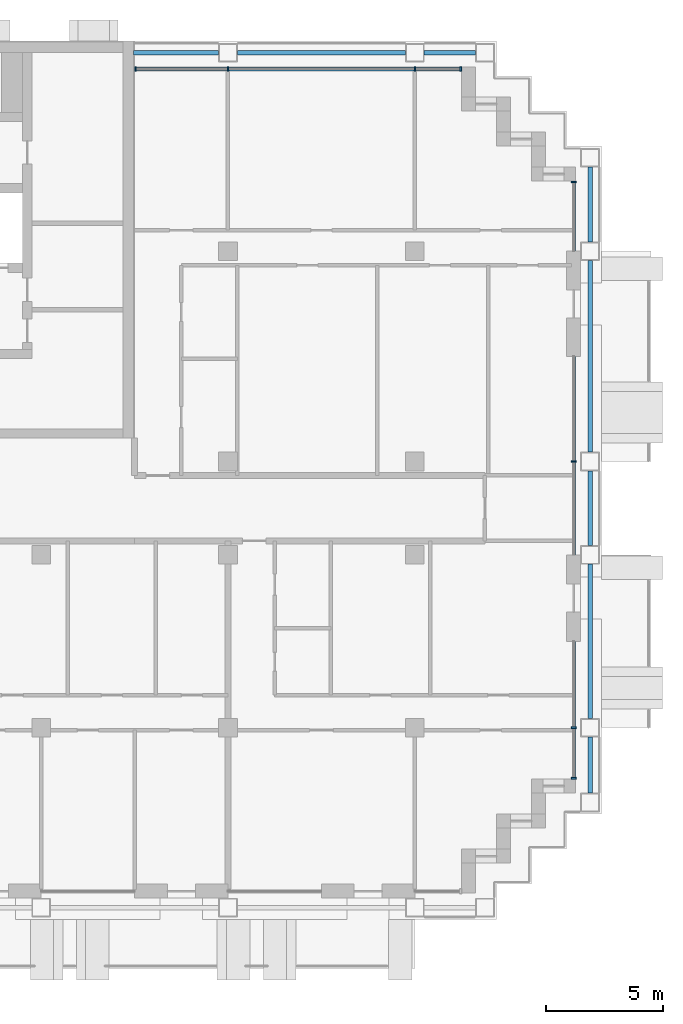
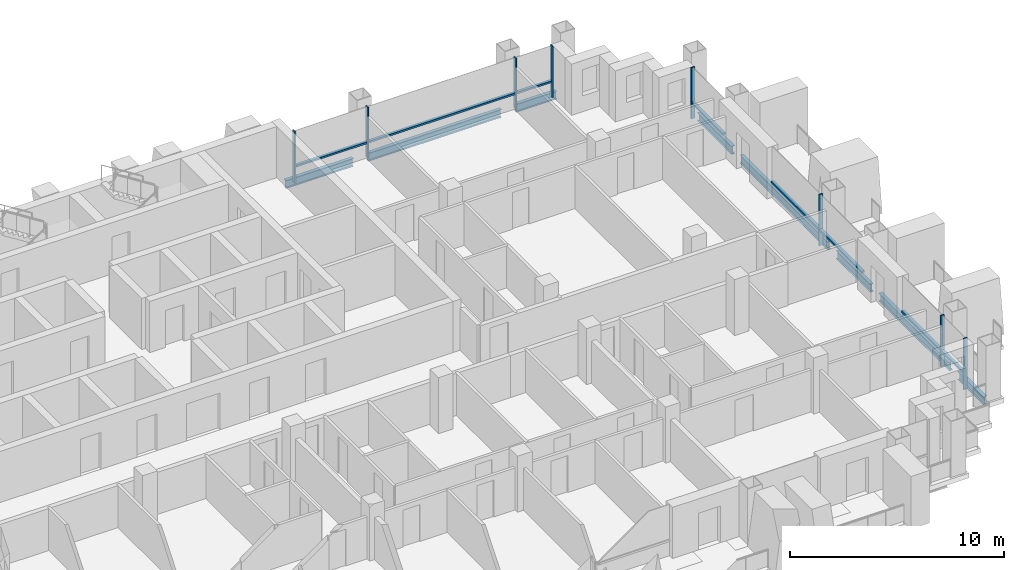
# One storey, part 5 of 18: 16 members, 8 beams, 4 elements without a shape of their own.
"""IFC4 building model written with IfcOpenShell, lengths in metres."""

import ifcopenshell
import ifcopenshell.guid

model = None  # the IFC model being written
_history = None  # IfcOwnerHistory: only IFC2X3 demands one
_inside = {}  # id of a spatial element -> (the spatial element, [elements in it])
_under = {}  # id of a project, library or spatial element -> (it, [spatial elements below it])
_declared = {}  # id of a project -> (the project, [libraries it declares])
_typed = {}  # id of a type object -> (the type object, [elements of that type])
_made_of = {}  # id of a material, layer set ... -> (it, [elements and type objects made of it])


def new_model(schema):
    """Start an empty IFC model of exactly this schema.

    Asked for "IFC4X3", IfcOpenShell would pick the latest addendum, in which some entities
    have other attributes; the version numbers below select the first issue.
    IFC2X3 requires an IfcOwnerHistory on every rooted entity: one is made here for all.
    """
    global model, _history
    if schema == "IFC4X3":
        model = ifcopenshell.file(schema_version=(4, 3, 0, 0))
    else:
        model = ifcopenshell.file(schema=schema)
    _inside.clear()
    _under.clear()
    _declared.clear()
    _typed.clear()
    _made_of.clear()
    _history = None
    if model.schema == "IFC2X3":
        org = make("IfcOrganization", Name="unknown")
        user = make(
            "IfcPersonAndOrganization",
            ThePerson=make("IfcPerson", FamilyName="unknown"),
            TheOrganization=org,
        )
        app = make(
            "IfcApplication",
            ApplicationDeveloper=org,
            Version="unknown",
            ApplicationFullName="unknown",
            ApplicationIdentifier="unknown",
        )
        _history = make(
            "IfcOwnerHistory",
            OwningUser=user,
            OwningApplication=app,
            ChangeAction="ADDED",
            CreationDate=0,
        )
    return model


def make(cls, **values):
    """One entity of the class cls with the attributes given. An attribute that is None is left unset."""
    return model.create_entity(
        cls, **{name: value for name, value in values.items() if value is not None}
    )


def rooted(cls, **values):
    """An entity with a GlobalId (a new one), such as an element, a storey or a relation."""
    return make(cls, GlobalId=ifcopenshell.guid.new(), OwnerHistory=_history, **values)


def si_unit(unit_type, name, prefix=None):
    """IfcSIUnit, for example si_unit("LENGTHUNIT", "METRE", prefix="MILLI")."""
    return make("IfcSIUnit", UnitType=unit_type, Prefix=prefix, Name=name)


def assignment(units):
    """IfcUnitAssignment: the units of a project."""
    return None if units is None else make("IfcUnitAssignment", Units=units)


def point(xyz):
    """IfcCartesianPoint."""
    return None if xyz is None else make("IfcCartesianPoint", Coordinates=xyz)


def direction(xyz):
    """IfcDirection."""
    return None if xyz is None else make("IfcDirection", DirectionRatios=xyz)


def frame(location, z_axis=None, x_axis=None):
    """IfcAxis2Placement3D, a coordinate frame: its origin and axes. An axis left out is left unset."""
    return make(
        "IfcAxis2Placement3D",
        Location=point(location),
        Axis=direction(z_axis),
        RefDirection=direction(x_axis),
    )


def frame_2d(location, x_axis=None):
    """IfcAxis2Placement2D, a coordinate frame in the plane: its origin and x axis."""
    return make(
        "IfcAxis2Placement2D", Location=point(location), RefDirection=direction(x_axis)
    )


def origin():
    """The frame at (0, 0, 0) with its axes left unset."""
    return frame((0.0, 0.0, 0.0))


def origin_2d():
    """The frame at (0, 0) in the plane with its x axis left unset."""
    return frame_2d((0.0, 0.0))


def place(relative_to, where):
    """IfcLocalPlacement: puts the frame where relative to a parent placement (None: the world)."""
    return make(
        "IfcLocalPlacement", PlacementRelTo=relative_to, RelativePlacement=where
    )


def context(
    kind, dimensions, precision=None, world=None, true_north=None, identifier=None
):
    """IfcGeometricRepresentationContext, for example the 3D "Model" context."""
    return make(
        "IfcGeometricRepresentationContext",
        ContextIdentifier=identifier,
        ContextType=kind,
        CoordinateSpaceDimension=dimensions,
        Precision=precision,
        WorldCoordinateSystem=world,
        TrueNorth=true_north,
    )


def subcontext(parent, identifier, kind, view, scale=None):
    """IfcGeometricRepresentationSubContext, for example "Body" below "Model"."""
    return make(
        "IfcGeometricRepresentationSubContext",
        ContextIdentifier=identifier,
        ContextType=kind,
        ParentContext=parent,
        TargetScale=scale,
        TargetView=view,
    )


def project(units=None, contexts=None):
    """IfcProject with its units and contexts."""
    return rooted(
        "IfcProject",
        Name="project",
        RepresentationContexts=contexts,
        UnitsInContext=assignment(units),
    )


def spatial(cls, under=None, at=None, **own):
    """A site, building, storey or space (cls), placed at a placement, below another one or the project."""
    s = rooted(cls, ObjectPlacement=at, **own)
    if under is not None:
        _under.setdefault(under.id(), (under, []))[1].append(s)
    return s


def profile(cls, at=None, kind="AREA", **sizes):
    """A parametric profile (cls). Its sizes go by their IFC names, for example OverallWidth=200.0."""
    return make(cls, ProfileType=kind, Position=at, **sizes)


def rectangle(**sizes):
    """IfcRectangleProfileDef."""
    return profile("IfcRectangleProfileDef", **sizes)


def i_section(**sizes):
    """IfcIShapeProfileDef."""
    return profile("IfcIShapeProfileDef", **sizes)


def extrude(swept, where, along, depth):
    """IfcExtrudedAreaSolid: the profile swept, set in the frame where, extruded along a direction by depth."""
    return make(
        "IfcExtrudedAreaSolid",
        SweptArea=swept,
        Position=where,
        ExtrudedDirection=direction(along),
        Depth=depth,
    )


def shape(context_of_items, identifier, shape_type, items):
    """IfcShapeRepresentation: the items that make up one representation, for example the "Body"."""
    return make(
        "IfcShapeRepresentation",
        ContextOfItems=context_of_items,
        RepresentationIdentifier=identifier,
        RepresentationType=shape_type,
        Items=items,
    )


def material(Name=None, Category=None):
    """IfcMaterial."""
    return make("IfcMaterial", Name=Name, Category=Category)


def material_profile(
    of_material, cross_section, Name=None, Category=None, Priority=None
):
    """IfcMaterialProfile: a cross section and its material."""
    return make(
        "IfcMaterialProfile",
        Name=Name,
        Material=of_material,
        Profile=cross_section,
        Priority=Priority,
        Category=Category,
    )


def profile_set(profiles, Name=None, composite=None):
    """IfcMaterialProfileSet."""
    return make(
        "IfcMaterialProfileSet",
        Name=Name,
        MaterialProfiles=profiles,
        CompositeProfile=composite,
    )


def made_of(thing, what):
    """Note that an element or type object is made of a material, layer set ...; save() writes the relation."""
    if what is not None:
        _made_of.setdefault(what.id(), (what, []))[1].append(thing)
    return thing


def type_object(cls, material=None, **own):
    """A type object (cls), such as IfcWallType, which elements share."""
    return made_of(rooted(cls, **own), material)


def element(
    cls,
    number,
    at=None,
    inside=None,
    cuts=None,
    type_object=None,
    material=None,
    context=None,
    identifier="Body",
    shape_type=None,
    held_by="IfcProductDefinitionShape",
    body=None,
    shapes=None,
    **own,
):
    """One element of the class cls, such as IfcWall. Its Tag is "e" and its number.

    at: its placement. inside: the storey or other place that contains it. cuts: it is an
    opening in that element (IfcRelVoidsElement). A single representation is given by context,
    identifier, shape_type and body (its items); several are given by shapes. held_by: the class
    of the entity that holds the representations. save() writes the other relations.
    """
    e = rooted(cls, Tag="e%d" % number, ObjectPlacement=at, **own)
    if body is not None:
        shapes = [shape(context, identifier, shape_type, body)]
    if shapes is not None:
        e.Representation = make(held_by, Representations=shapes)
    if inside is not None:
        _inside.setdefault(inside.id(), (inside, []))[1].append(e)
    if cuts is not None:
        rooted(
            "IfcRelVoidsElement", RelatingBuildingElement=cuts, RelatedOpeningElement=e
        )
    if type_object is not None:
        _typed.setdefault(type_object.id(), (type_object, []))[1].append(e)
    return made_of(e, material)


def aggregate(whole, parts):
    """IfcRelAggregates: a whole, such as a stair, and the parts it consists of."""
    return rooted("IfcRelAggregates", RelatingObject=whole, RelatedObjects=parts)


def save(model, path):
    """Write the relations noted so far, then the file.

    IfcRelAggregates (storeys below a building ...), IfcRelContainedInSpatialStructure (elements
    in a storey), IfcRelDefinesByType, IfcRelAssociatesMaterial and IfcRelDeclares: one each for
    every whole, place, type object, material and project.
    """
    for whole, parts in _under.values():
        aggregate(whole, parts)
    for where, things in _inside.values():
        rooted(
            "IfcRelContainedInSpatialStructure",
            RelatedElements=things,
            RelatingStructure=where,
        )
    for kind, things in _typed.values():
        rooted("IfcRelDefinesByType", RelatedObjects=things, RelatingType=kind)
    for what, things in _made_of.values():
        rooted("IfcRelAssociatesMaterial", RelatedObjects=things, RelatingMaterial=what)
    for by, libraries in _declared.values():
        rooted("IfcRelDeclares", RelatingContext=by, RelatedDefinitions=libraries)
    model.write(path)


model = new_model("IFC4")

# Units and contexts
model_context = context("Model", 3, precision=1e-05, world=origin(), true_north=direction((0.0, 1.0)))
body_context = subcontext(model_context, "Body", "Model", "MODEL_VIEW")
ifc_project = project(units=[si_unit("LENGTHUNIT", "METRE"), si_unit("AREAUNIT", "SQUARE_METRE"), si_unit("VOLUMEUNIT", "CUBIC_METRE"), si_unit("PLANEANGLEUNIT", "RADIAN"), si_unit("MASSUNIT", "GRAM", prefix="KILO")], contexts=[model_context])

# Site, building, storey
site_placement = place(None, origin())
site = spatial("IfcSite", under=ifc_project, at=site_placement, CompositionType="ELEMENT")
building_placement = place(site_placement, origin())
building = spatial("IfcBuilding", under=site, at=building_placement, Name="Vidyagriha Tower", CompositionType="ELEMENT")
storey_placement = place(building_placement, frame((0.0, 0.0, 126.199951171875)))
storey = spatial("IfcBuildingStorey", under=building, at=storey_placement, Name="L32", CompositionType="ELEMENT", Elevation=126.199951171875)

# Beams
ifc_material_1 = material(Name="Steel ASTM A992 Grade 50", Category="steel")
ifc_material_profile_1 = material_profile(ifc_material_1, i_section(OverallWidth=0.19189453125, OverallDepth=0.46240234375, WebThickness=0.010498046875, FlangeThickness=0.017578125, at=origin_2d()), Name="W18X60")
ifc_profile_set_1 = profile_set([ifc_material_profile_1], Name="Steel ASTM A992 Grade 50")
beam_type = type_object("IfcBeamType", Name="Edge beam W18X60", PredefinedType="SPANDREL", material=ifc_profile_set_1)
beam_1_placement = place(storey_placement, frame((33.5, -12.199951171875, -0.510986328125), z_axis=(0.0, 1.0, 0.0), x_axis=(-1.0, 0.0, 0.0)))
element("IfcBeam", 1, at=beam_1_placement, inside=storey, type_object=beam_type, Name="st-beam-L32-E14", PredefinedType="SPANDREL", context=body_context, shape_type="SweptSolid", body=[
    extrude(i_section(OverallWidth=0.19189453125, OverallDepth=0.46240234375, WebThickness=0.010498046875, FlangeThickness=0.017578125, at=origin_2d()), origin(), (0.0, 0.0, 1.0), 2.39990234375),
])
beam_2_placement = place(storey_placement, frame((33.5, -9.0, -0.510986328125), z_axis=(0.0, 1.0, 0.0), x_axis=(-1.0, 0.0, 0.0)))
element("IfcBeam", 2, at=beam_2_placement, inside=storey, type_object=beam_type, Name="st-beam-L32-E15", PredefinedType="SPANDREL", context=body_context, shape_type="SweptSolid", body=[
    extrude(i_section(OverallWidth=0.19189453125, OverallDepth=0.46240234375, WebThickness=0.010498046875, FlangeThickness=0.017578125, at=origin_2d()), origin(), (0.0, 0.0, 1.0), 6.60009765625),
])
beam_3_placement = place(storey_placement, frame((33.5, -1.60009765625, -0.510986328125), z_axis=(0.0, 1.0, 0.0), x_axis=(-1.0, 0.0, 0.0)))
element("IfcBeam", 3, at=beam_3_placement, inside=storey, type_object=beam_type, Name="st-beam-L32-E16", PredefinedType="SPANDREL", context=body_context, shape_type="SweptSolid", body=[
    extrude(i_section(OverallWidth=0.19189453125, OverallDepth=0.46240234375, WebThickness=0.010498046875, FlangeThickness=0.017578125, at=origin_2d()), origin(), (0.0, 0.0, 1.0), 3.2001953125),
])
beam_4_placement = place(storey_placement, frame((33.5, 2.39990234375, -0.510986328125), z_axis=(0.0, 1.0, 0.0), x_axis=(-1.0, 0.0, 0.0)))
element("IfcBeam", 4, at=beam_4_placement, inside=storey, type_object=beam_type, Name="st-beam-L32-E17", PredefinedType="SPANDREL", context=body_context, shape_type="SweptSolid", body=[
    extrude(i_section(OverallWidth=0.19189453125, OverallDepth=0.46240234375, WebThickness=0.010498046875, FlangeThickness=0.017578125, at=origin_2d()), origin(), (0.0, 0.0, 1.0), 8.2001953125),
])
beam_5_placement = place(storey_placement, frame((33.5, 11.39990234375, -0.510986328125), z_axis=(0.0, 1.0, 0.0), x_axis=(-1.0, 0.0, 0.0)))
element("IfcBeam", 5, at=beam_5_placement, inside=storey, type_object=beam_type, Name="st-beam-L32-E18", PredefinedType="SPANDREL", context=body_context, shape_type="SweptSolid", body=[
    extrude(i_section(OverallWidth=0.19189453125, OverallDepth=0.46240234375, WebThickness=0.010498046875, FlangeThickness=0.017578125, at=origin_2d()), origin(), (0.0, 0.0, 1.0), 3.2001953125),
])
beam_6_placement = place(storey_placement, frame((18.39990234375, 19.5, -0.510986328125), z_axis=(1.0, 0.0, 0.0), x_axis=(0.0, 1.0, 0.0)))
element("IfcBeam", 6, at=beam_6_placement, inside=storey, type_object=beam_type, Name="st-beam-L32-NE20", PredefinedType="SPANDREL", context=body_context, shape_type="SweptSolid", body=[
    extrude(i_section(OverallWidth=0.19189453125, OverallDepth=0.46240234375, WebThickness=0.010498046875, FlangeThickness=0.017578125, at=origin_2d()), origin(), (0.0, 0.0, 1.0), 7.2001953125),
])
beam_7_placement = place(storey_placement, frame((26.39990234375, 19.5, -0.510986328125), z_axis=(1.0, 0.0, 0.0), x_axis=(0.0, 1.0, 0.0)))
element("IfcBeam", 7, at=beam_7_placement, inside=storey, type_object=beam_type, Name="st-beam-L32-NE21", PredefinedType="SPANDREL", context=body_context, shape_type="SweptSolid", body=[
    extrude(i_section(OverallWidth=0.19189453125, OverallDepth=0.46240234375, WebThickness=0.010498046875, FlangeThickness=0.017578125, at=origin_2d()), origin(), (0.0, 0.0, 1.0), 2.2001953125),
])
beam_8_placement = place(storey_placement, frame((13.949951171875, 19.5, -0.510986328125), z_axis=(1.0, 0.0, 0.0), x_axis=(0.0, 1.0, 0.0)))
element("IfcBeam", 8, at=beam_8_placement, inside=storey, type_object=beam_type, Name="st-beam-L32-NC23", PredefinedType="SPANDREL", context=body_context, shape_type="SweptSolid", body=[
    extrude(i_section(OverallWidth=0.19189453125, OverallDepth=0.46240234375, WebThickness=0.010498046875, FlangeThickness=0.017578125, at=origin_2d()), origin(), (0.0, 0.0, 1.0), 3.650146484375),
])

# Curtain wall, members
ifc_material_2 = material(Name="Aluminium and glass curtain wall", Category="aluminium")
curtain_wall_type = type_object("IfcCurtainWallType", Name="Dwelling skin unitised curtain wall", PredefinedType="USERDEFINED", material=ifc_material_2)
curtain_wall_1_placement = place(storey_placement, origin())
curtain_wall_1 = element("IfcCurtainWall", 9, at=curtain_wall_1_placement, inside=storey, type_object=curtain_wall_type, Name="CW1 dwelling skin", ObjectType="UNITISED", PredefinedType="USERDEFINED")
ifc_material_3 = material(Name="Aluminium black anodised", Category="aluminium")
ifc_material_profile_2 = material_profile(ifc_material_3, rectangle(XDim=0.199951171875, YDim=0.070068359375, at=origin_2d()), Name="Mullion 70x200 black aluminium")
ifc_profile_set_2 = profile_set([ifc_material_profile_2], Name="Aluminium black anodised")
member_type_1 = type_object("IfcMemberType", Name="Mullion 70x200 black aluminium", PredefinedType="MULLION", material=ifc_profile_set_2)
member_1_placement = place(storey_placement, frame((27.965087890625, 18.800048828125, 0.0), z_axis=(0.0, 0.0, 1.0), x_axis=(0.0, -1.0, 0.0)))
member_1 = element("IfcMember", 10, at=member_1_placement, type_object=member_type_1, Name="CW1 mullion 1", PredefinedType="MULLION", context=body_context, shape_type="SweptSolid", body=[
    extrude(rectangle(XDim=0.199951171875, YDim=0.070068359375, at=origin_2d()), origin(), (0.0, 0.0, 1.0), 2.920166015625),
])
member_2_placement = place(storey_placement, frame((26.0, 18.800048828125, 0.0), z_axis=(0.0, 0.0, 1.0), x_axis=(0.0, -1.0, 0.0)))
member_2 = element("IfcMember", 11, at=member_2_placement, type_object=member_type_1, Name="CW1 mullion 2", PredefinedType="MULLION", context=body_context, shape_type="SweptSolid", body=[
    extrude(rectangle(XDim=0.199951171875, YDim=0.070068359375, at=origin_2d()), origin(), (0.0, 0.0, 1.0), 2.920166015625),
])
member_3_placement = place(storey_placement, frame((18.0, 18.800048828125, 0.0), z_axis=(0.0, 0.0, 1.0), x_axis=(0.0, -1.0, 0.0)))
member_3 = element("IfcMember", 12, at=member_3_placement, type_object=member_type_1, Name="CW1 mullion 3", PredefinedType="MULLION", context=body_context, shape_type="SweptSolid", body=[
    extrude(rectangle(XDim=0.199951171875, YDim=0.070068359375, at=origin_2d()), origin(), (0.0, 0.0, 1.0), 2.920166015625),
])
member_4_placement = place(storey_placement, frame((14.034912109375, 18.800048828125, 0.0), z_axis=(0.0, 0.0, 1.0), x_axis=(0.0, -1.0, 0.0)))
member_4 = element("IfcMember", 13, at=member_4_placement, type_object=member_type_1, Name="CW1 mullion 4", PredefinedType="MULLION", context=body_context, shape_type="SweptSolid", body=[
    extrude(rectangle(XDim=0.199951171875, YDim=0.070068359375, at=origin_2d()), origin(), (0.0, 0.0, 1.0), 2.920166015625),
])

curtain_wall_2_placement = place(storey_placement, origin())
curtain_wall_2 = element("IfcCurtainWall", 14, at=curtain_wall_2_placement, inside=storey, type_object=curtain_wall_type, Name="CW1 dwelling skin", ObjectType="UNITISED", PredefinedType="USERDEFINED")
member_5_placement = place(storey_placement, frame((32.800048828125, -11.56494140625, 0.0), z_axis=(0.0, 0.0, 1.0), x_axis=(-1.0, 0.0, 0.0)))
member_5 = element("IfcMember", 15, at=member_5_placement, type_object=member_type_1, Name="CW1 mullion 1", PredefinedType="MULLION", context=body_context, shape_type="SweptSolid", body=[
    extrude(rectangle(XDim=0.199951171875, YDim=0.070068359375, at=origin_2d()), origin(), (0.0, 0.0, 1.0), 2.920166015625),
])
member_6_placement = place(storey_placement, frame((32.800048828125, -9.39990234375, 0.0), z_axis=(0.0, 0.0, 1.0), x_axis=(-1.0, 0.0, 0.0)))
member_6 = element("IfcMember", 16, at=member_6_placement, type_object=member_type_1, Name="CW1 mullion 2", PredefinedType="MULLION", context=body_context, shape_type="SweptSolid", body=[
    extrude(rectangle(XDim=0.199951171875, YDim=0.070068359375, at=origin_2d()), origin(), (0.0, 0.0, 1.0), 2.920166015625),
])

# Curtain wall, member
curtain_wall_3_placement = place(storey_placement, origin())
curtain_wall_3 = element("IfcCurtainWall", 17, at=curtain_wall_3_placement, inside=storey, type_object=curtain_wall_type, Name="CW1 dwelling skin", ObjectType="UNITISED", PredefinedType="USERDEFINED")
member_7_placement = place(storey_placement, frame((32.800048828125, 2.0, 0.0), z_axis=(0.0, 0.0, 1.0), x_axis=(-1.0, 0.0, 0.0)))
member_7 = element("IfcMember", 18, at=member_7_placement, type_object=member_type_1, Name="CW1 mullion 2", PredefinedType="MULLION", context=body_context, shape_type="SweptSolid", body=[
    extrude(rectangle(XDim=0.199951171875, YDim=0.070068359375, at=origin_2d()), origin(), (0.0, 0.0, 1.0), 2.920166015625),
])

curtain_wall_4_placement = place(storey_placement, origin())
curtain_wall_4 = element("IfcCurtainWall", 19, at=curtain_wall_4_placement, inside=storey, type_object=curtain_wall_type, Name="CW1 dwelling skin", ObjectType="UNITISED", PredefinedType="USERDEFINED")
member_8_placement = place(storey_placement, frame((32.800048828125, 13.965087890625, 0.0), z_axis=(0.0, 0.0, 1.0), x_axis=(-1.0, 0.0, 0.0)))
member_8 = element("IfcMember", 20, at=member_8_placement, type_object=member_type_1, Name="CW1 mullion 2", PredefinedType="MULLION", context=body_context, shape_type="SweptSolid", body=[
    extrude(rectangle(XDim=0.199951171875, YDim=0.070068359375, at=origin_2d()), origin(), (0.0, 0.0, 1.0), 2.920166015625),
])

# Member
ifc_material_4 = material(Name="Aluminium black anodised", Category="aluminium")
ifc_material_profile_3 = material_profile(ifc_material_4, rectangle(XDim=0.159912109375, YDim=0.10009765625, at=origin_2d()), Name="Transom 100x160 black aluminium")
ifc_profile_set_3 = profile_set([ifc_material_profile_3], Name="Aluminium black anodised")
member_type_2 = type_object("IfcMemberType", Name="Transom 100x160 black aluminium", PredefinedType="USERDEFINED", material=ifc_profile_set_3)
member_9_placement = place(storey_placement, frame((27.929931640625, 18.800048828125, 0.900146484375), z_axis=(-1.0, 0.0, 0.0), x_axis=(0.0, -1.0, 0.0)))
member_9 = element("IfcMember", 21, at=member_9_placement, type_object=member_type_2, Name="CW1 transom 1.1", ObjectType="TRANSOM", PredefinedType="USERDEFINED", context=body_context, shape_type="SweptSolid", body=[
    extrude(rectangle(XDim=0.159912109375, YDim=0.10009765625, at=origin_2d()), origin(), (0.0, 0.0, 1.0), 1.89501953125),
])

member_10_placement = place(storey_placement, frame((25.965087890625, 18.800048828125, 0.900146484375), z_axis=(-1.0, 0.0, 0.0), x_axis=(0.0, -1.0, 0.0)))
member_10 = element("IfcMember", 22, at=member_10_placement, type_object=member_type_2, Name="CW1 transom 2.1", ObjectType="TRANSOM", PredefinedType="USERDEFINED", context=body_context, shape_type="SweptSolid", body=[
    extrude(rectangle(XDim=0.159912109375, YDim=0.10009765625, at=origin_2d()), origin(), (0.0, 0.0, 1.0), 7.93017578125),
])

member_11_placement = place(storey_placement, frame((17.965087890625, 18.800048828125, 0.900146484375), z_axis=(-1.0, 0.0, 0.0), x_axis=(0.0, -1.0, 0.0)))
member_11 = element("IfcMember", 23, at=member_11_placement, type_object=member_type_2, Name="CW1 transom 3.1", ObjectType="TRANSOM", PredefinedType="USERDEFINED", context=body_context, shape_type="SweptSolid", body=[
    extrude(rectangle(XDim=0.159912109375, YDim=0.10009765625, at=origin_2d()), origin(), (0.0, 0.0, 1.0), 3.89501953125),
])

aggregate(curtain_wall_1, [member_1, member_2, member_3, member_4, member_9, member_10, member_11])

member_12_placement = place(storey_placement, frame((32.800048828125, -11.530029296875, 0.900146484375), z_axis=(0.0, 1.0, 0.0), x_axis=(-1.0, 0.0, 0.0)))
member_12 = element("IfcMember", 24, at=member_12_placement, type_object=member_type_2, Name="CW1 transom 1.1", ObjectType="TRANSOM", PredefinedType="USERDEFINED", context=body_context, shape_type="SweptSolid", body=[
    extrude(rectangle(XDim=0.159912109375, YDim=0.10009765625, at=origin_2d()), origin(), (0.0, 0.0, 1.0), 2.094970703125),
])

member_13_placement = place(storey_placement, frame((32.800048828125, -9.364990234375, 0.900146484375), z_axis=(0.0, 1.0, 0.0), x_axis=(-1.0, 0.0, 0.0)))
member_13 = element("IfcMember", 25, at=member_13_placement, type_object=member_type_2, Name="CW1 transom 2.1", ObjectType="TRANSOM", PredefinedType="USERDEFINED", context=body_context, shape_type="SweptSolid", body=[
    extrude(rectangle(XDim=0.159912109375, YDim=0.10009765625, at=origin_2d()), origin(), (0.0, 0.0, 1.0), 3.6650390625),
])

aggregate(curtain_wall_2, [member_5, member_6, member_12, member_13])

member_14_placement = place(storey_placement, frame((32.800048828125, -2.0, 0.900146484375), z_axis=(0.0, 1.0, 0.0), x_axis=(-1.0, 0.0, 0.0)))
member_14 = element("IfcMember", 26, at=member_14_placement, type_object=member_type_2, Name="CW1 transom 1.1", ObjectType="TRANSOM", PredefinedType="USERDEFINED", context=body_context, shape_type="SweptSolid", body=[
    extrude(rectangle(XDim=0.159912109375, YDim=0.10009765625, at=origin_2d()), origin(), (0.0, 0.0, 1.0), 3.965087890625),
])

member_15_placement = place(storey_placement, frame((32.800048828125, 2.034912109375, 0.900146484375), z_axis=(0.0, 1.0, 0.0), x_axis=(-1.0, 0.0, 0.0)))
member_15 = element("IfcMember", 27, at=member_15_placement, type_object=member_type_2, Name="CW1 transom 2.1", ObjectType="TRANSOM", PredefinedType="USERDEFINED", context=body_context, shape_type="SweptSolid", body=[
    extrude(rectangle(XDim=0.159912109375, YDim=0.10009765625, at=origin_2d()), origin(), (0.0, 0.0, 1.0), 4.465087890625),
])

aggregate(curtain_wall_3, [member_7, member_14, member_15])

member_16_placement = place(storey_placement, frame((32.800048828125, 11.0, 0.900146484375), z_axis=(0.0, 1.0, 0.0), x_axis=(-1.0, 0.0, 0.0)))
member_16 = element("IfcMember", 28, at=member_16_placement, type_object=member_type_2, Name="CW1 transom 1.1", ObjectType="TRANSOM", PredefinedType="USERDEFINED", context=body_context, shape_type="SweptSolid", body=[
    extrude(rectangle(XDim=0.159912109375, YDim=0.10009765625, at=origin_2d()), origin(), (0.0, 0.0, 1.0), 2.929931640625),
])

aggregate(curtain_wall_4, [member_8, member_16])

save(model, "model.ifc")
